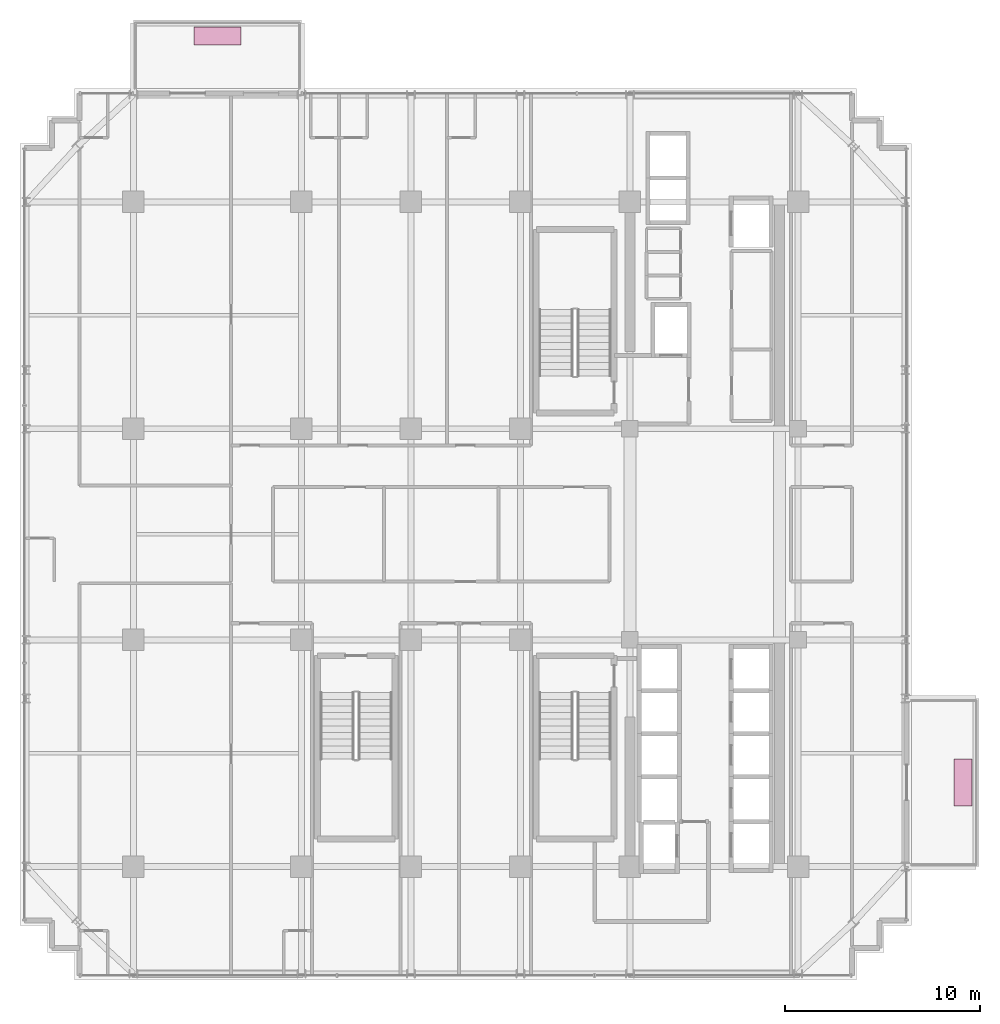
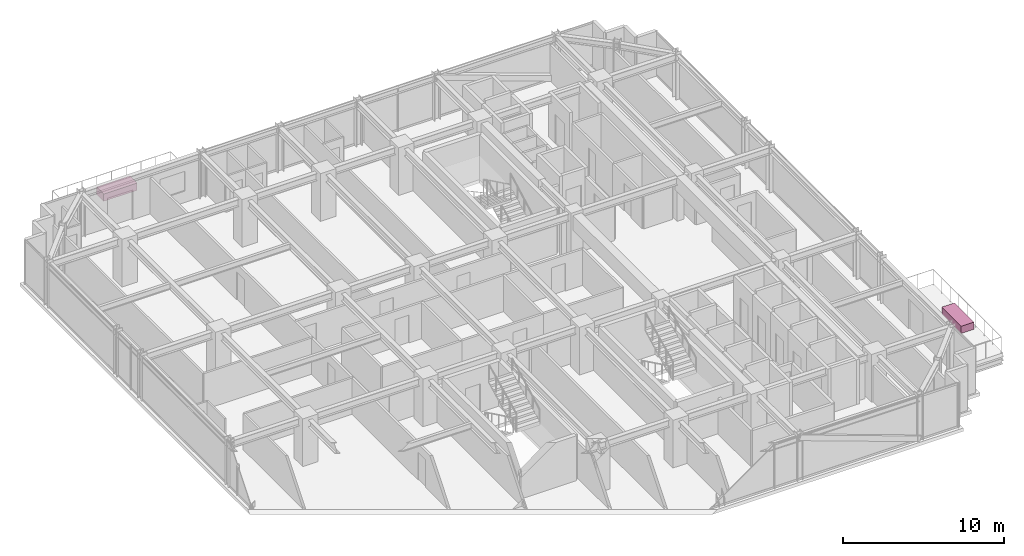
# One storey, part 29 of 29: 2 furnishings.
"""IFC4 building model written with IfcOpenShell, lengths in metres."""

from ifc_helpers import new_model, si_unit, direction, frame, origin, origin_2d, place, context, subcontext, project, spatial, rectangle, extrude, source, transform, mapped, material, type_object, element, save


model = new_model("IFC4")

# Units and contexts
model_context = context("Model", 3, precision=1e-05, world=origin(), true_north=direction((0.0, 1.0)))
body_context = subcontext(model_context, "Body", "Model", "MODEL_VIEW")
ifc_project = project(units=[si_unit("LENGTHUNIT", "METRE"), si_unit("AREAUNIT", "SQUARE_METRE"), si_unit("VOLUMEUNIT", "CUBIC_METRE"), si_unit("PLANEANGLEUNIT", "RADIAN"), si_unit("MASSUNIT", "GRAM", prefix="KILO")], contexts=[model_context])

# Site, building, storey
site_placement = place(None, origin())
site = spatial("IfcSite", under=ifc_project, at=site_placement, CompositionType="ELEMENT")
building_placement = place(site_placement, origin())
building = spatial("IfcBuilding", under=site, at=building_placement, Name="Nahalor Promenade Grand Hotel", CompositionType="ELEMENT")
storey_placement = place(building_placement, frame((0.0, 0.0, 189.14990234375)))
storey = spatial("IfcBuildingStorey", under=building, at=storey_placement, Name="L48", CompositionType="ELEMENT", Elevation=189.14990234375)

# Furnishings
ifc_material = material(Name="Vegetated Volcanic-Lapilli Tree Planter", Category="earth")
furnishing_element_type = type_object("IfcFurnishingElementType", Name="Planter-VerticalForest-Box", material=ifc_material)
shared_shape = source(origin(), body_context, "Body", "SweptSolid", [
    extrude(rectangle(XDim=2.39990234375, YDim=0.89990234375, at=origin_2d()), origin(), (0.0, 0.0, 1.0), 0.550048828125),
])
for number, where, z_axis, x_axis, name in (
    (1, (-12.699951171875, 25.489990234375, 0.0), (0.0, 0.0, 1.0), (1.0, 0.0, 0.0), "L48 Balcony Structural Tree Planter 1"),
    (2, (25.43994140625, -12.699951171875, 0.0), (0.0, 0.0, 1.0), (0.0, 1.0, 0.0), "L48 Balcony Structural Tree Planter 2"),
):
    element("IfcFurnishingElement", number, at=place(storey_placement, frame(where, z_axis=z_axis, x_axis=x_axis)), inside=storey, type_object=furnishing_element_type, Name=name, ObjectType="PLANTER", context=body_context, shape_type="MappedRepresentation", body=[
        mapped(shared_shape, transform((0.0, 0.0, 0.0), scale=1.0)),
    ])

save(model, "model.ifc")
